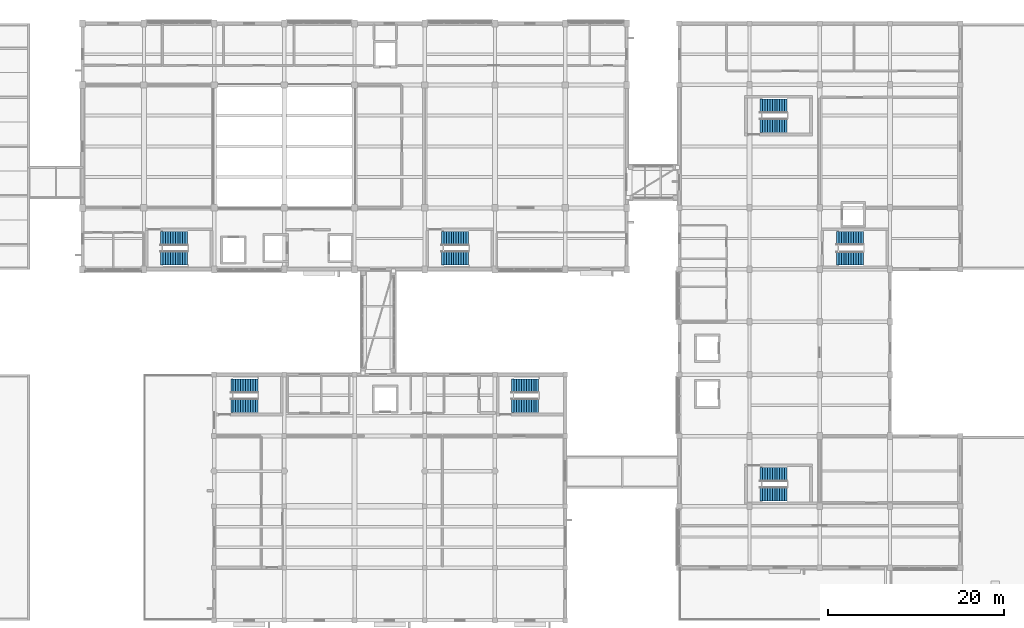
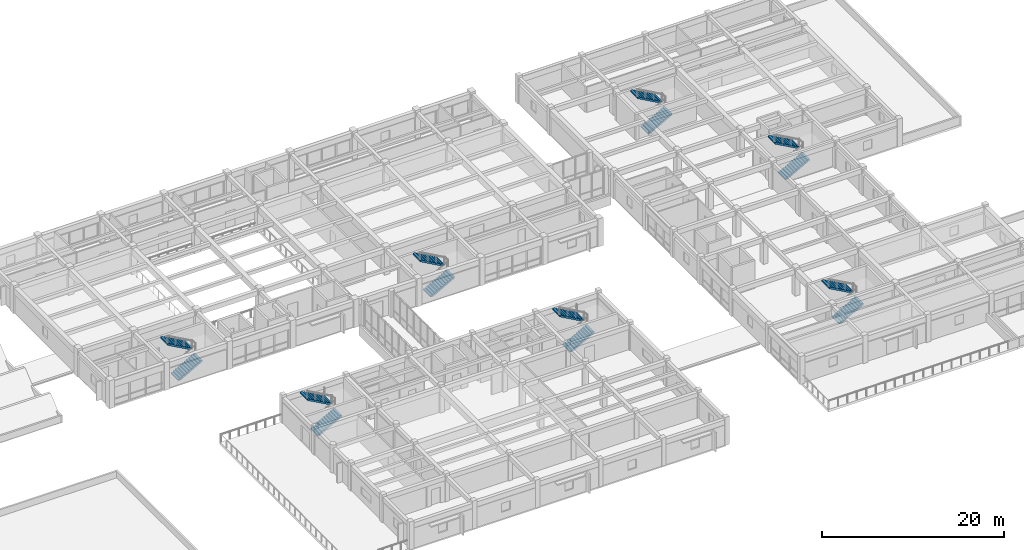
# One storey, part 35 of 42: 14 stair flights, 7 elements without a shape of their own.
"""IFC4 building model written with IfcOpenShell, lengths in metres."""

from ifc_helpers import new_model, si_unit, direction, frame, origin, place, context, subcontext, project, spatial, polyline, outline, extrude, material, type_object, element, aggregate, save


model = new_model("IFC4")

# Units and contexts
model_context = context("Model", 3, precision=1e-05, world=origin(), true_north=direction((0.0, 1.0)))
body_context = subcontext(model_context, "Body", "Model", "MODEL_VIEW")
ifc_project = project(units=[si_unit("LENGTHUNIT", "METRE"), si_unit("AREAUNIT", "SQUARE_METRE"), si_unit("VOLUMEUNIT", "CUBIC_METRE"), si_unit("PLANEANGLEUNIT", "RADIAN"), si_unit("MASSUNIT", "GRAM", prefix="KILO")], contexts=[model_context])

# Site, building, storey
site_placement = place(None, origin())
site = spatial("IfcSite", under=ifc_project, at=site_placement, CompositionType="ELEMENT")
building_placement = place(site_placement, origin())
building = spatial("IfcBuilding", under=site, at=building_placement, Name="Naurynzar Civic Courthouse", CompositionType="ELEMENT")
storey_placement = place(building_placement, frame((0.0, 0.0, 18.300048828125)))
storey = spatial("IfcBuildingStorey", under=building, at=storey_placement, Name="L05", CompositionType="ELEMENT", Elevation=18.300048828125)

# Stair, stair flights
ifc_material_1 = material(Name="Concrete C35/45", Category="concrete")
stair_type_1 = type_object("IfcStairType", Name="STAIR-CUS-1550", PredefinedType="TWO_STRAIGHT_RUN_STAIR", material=ifc_material_1)
stair_1_placement = place(storey_placement, origin())
stair_1 = element("IfcStair", 1, at=stair_1_placement, inside=storey, type_object=stair_type_1, Name="Enclosed escape stair ST-CUS L05", PredefinedType="TWO_STRAIGHT_RUN_STAIR")
ifc_material_2 = material(Name="Concrete C35/45", Category="concrete")
stair_flight_type_1 = type_object("IfcStairFlightType", Name="FLIGHT-RC-1550", PredefinedType="STRAIGHT", material=ifc_material_2)
stair_flight_1_placement = place(storey_placement, frame((147.89990234375, 45.2548828125, 0.0), z_axis=(0.0, 0.0, 1.0), x_axis=(1.0, 0.0, 0.0)))
stair_flight_1 = element("IfcStairFlight", 2, at=stair_flight_1_placement, type_object=stair_flight_type_1, Name="ST-CUS-L05 flight 1", NumberOfRisers=12, NumberOfTreads=11, PredefinedType="STRAIGHT", RiserHeight=0.15625, TreadLength=0.28, context=body_context, shape_type="SweptSolid", body=[
    extrude(outline(polyline([(0.0, 0.0), (0.0, 0.15625), (0.280029296875, 0.15625), (0.280029296875, 0.3125), (0.56005859375, 0.3125), (0.56005859375, 0.46875), (0.840087890625, 0.46875), (0.840087890625, 0.625), (1.1201171875, 0.625), (1.1201171875, 0.78125), (1.39990234375, 0.78125), (1.39990234375, 0.9375), (1.679931640625, 0.9375), (1.679931640625, 1.09375), (1.9599609375, 1.09375), (1.9599609375, 1.25), (2.239990234375, 1.25), (2.239990234375, 1.40625), (2.52001953125, 1.40625), (2.52001953125, 1.5625), (2.800048828125, 1.5625), (2.800048828125, 1.71875), (3.080078125, 1.71875), (3.080078125, 1.875), (3.080078125, 1.5126953125), (0.369140625, 0.0), (0.0, 0.0)])), frame((0.0, 0.77490234375, 0.0), z_axis=(0.0, -1.0, 0.0), x_axis=(1.0, 0.0, 0.0)), (0.0, 0.0, 1.0), 1.550048828125),
])
stair_flight_2_placement = place(storey_placement, frame((150.97998046875, 47.544921875, 1.875), z_axis=(0.0, 0.0, 1.0), x_axis=(-1.0, 0.0, 0.0)))
stair_flight_2 = element("IfcStairFlight", 3, at=stair_flight_2_placement, type_object=stair_flight_type_1, Name="ST-CUS-L05 flight 2", NumberOfRisers=12, NumberOfTreads=11, PredefinedType="STRAIGHT", RiserHeight=0.15625, TreadLength=0.28, context=body_context, shape_type="SweptSolid", body=[
    extrude(outline(polyline([(0.0, 0.0), (0.0, 0.15625), (0.280029296875, 0.15625), (0.280029296875, 0.3125), (0.56005859375, 0.3125), (0.56005859375, 0.46875), (0.840087890625, 0.46875), (0.840087890625, 0.625), (1.1201171875, 0.625), (1.1201171875, 0.78125), (1.39990234375, 0.78125), (1.39990234375, 0.9375), (1.679931640625, 0.9375), (1.679931640625, 1.09375), (1.9599609375, 1.09375), (1.9599609375, 1.25), (2.239990234375, 1.25), (2.239990234375, 1.40625), (2.52001953125, 1.40625), (2.52001953125, 1.5625), (2.800048828125, 1.5625), (2.800048828125, 1.71875), (3.080078125, 1.71875), (3.080078125, 1.875), (3.080078125, 1.5126953125), (0.369140625, 0.0), (0.0, 0.0)])), frame((0.0, 0.77490234375, 0.0), z_axis=(0.0, -1.0, 0.0), x_axis=(1.0, 0.0, 0.0)), (0.0, 0.0, 1.0), 1.550048828125),
])
aggregate(stair_1, [stair_flight_1, stair_flight_2])

ifc_material_3 = material(Name="Concrete C35/45", Category="concrete")
stair_type_2 = type_object("IfcStairType", Name="STAIR-CORE-1600", PredefinedType="TWO_STRAIGHT_RUN_STAIR", material=ifc_material_3)
stair_2_placement = place(storey_placement, origin())
stair_2 = element("IfcStair", 4, at=stair_2_placement, inside=storey, type_object=stair_type_2, Name="Enclosed escape stair ST-V2A L05", PredefinedType="TWO_STRAIGHT_RUN_STAIR")
ifc_material_4 = material(Name="Concrete C35/45", Category="concrete")
stair_flight_type_2 = type_object("IfcStairFlightType", Name="FLIGHT-RC-1600", PredefinedType="STRAIGHT", material=ifc_material_4)
stair_flight_3_placement = place(storey_placement, frame((70.89990234375, 45.280029296875, 0.0), z_axis=(0.0, 0.0, 1.0), x_axis=(1.0, 0.0, 0.0)))
stair_flight_3 = element("IfcStairFlight", 5, at=stair_flight_3_placement, type_object=stair_flight_type_2, Name="ST-V2A-L05 flight 1", NumberOfRisers=12, NumberOfTreads=11, PredefinedType="STRAIGHT", RiserHeight=0.15625, TreadLength=0.28, context=body_context, shape_type="SweptSolid", body=[
    extrude(outline(polyline([(0.0, 0.0), (0.0, 0.15625), (0.280029296875, 0.15625), (0.280029296875, 0.3125), (0.56005859375, 0.3125), (0.56005859375, 0.46875), (0.840087890625, 0.46875), (0.840087890625, 0.625), (1.1201171875, 0.625), (1.1201171875, 0.78125), (1.39990234375, 0.78125), (1.39990234375, 0.9375), (1.679931640625, 0.9375), (1.679931640625, 1.09375), (1.9599609375, 1.09375), (1.9599609375, 1.25), (2.239990234375, 1.25), (2.239990234375, 1.40625), (2.52001953125, 1.40625), (2.52001953125, 1.5625), (2.800048828125, 1.5625), (2.800048828125, 1.71875), (3.080078125, 1.71875), (3.080078125, 1.875), (3.080078125, 1.5126953125), (0.369140625, 0.0), (0.0, 0.0)])), frame((0.0, 0.800048828125, 0.0), z_axis=(0.0, -1.0, 0.0), x_axis=(1.0, 0.0, 0.0)), (0.0, 0.0, 1.0), 1.60009765625),
])
stair_flight_4_placement = place(storey_placement, frame((73.97998046875, 47.52001953125, 1.875), z_axis=(0.0, 0.0, 1.0), x_axis=(-1.0, 0.0, 0.0)))
stair_flight_4 = element("IfcStairFlight", 6, at=stair_flight_4_placement, type_object=stair_flight_type_2, Name="ST-V2A-L05 flight 2", NumberOfRisers=12, NumberOfTreads=11, PredefinedType="STRAIGHT", RiserHeight=0.15625, TreadLength=0.28, context=body_context, shape_type="SweptSolid", body=[
    extrude(outline(polyline([(0.0, 0.0), (0.0, 0.15625), (0.280029296875, 0.15625), (0.280029296875, 0.3125), (0.56005859375, 0.3125), (0.56005859375, 0.46875), (0.840087890625, 0.46875), (0.840087890625, 0.625), (1.1201171875, 0.625), (1.1201171875, 0.78125), (1.39990234375, 0.78125), (1.39990234375, 0.9375), (1.679931640625, 0.9375), (1.679931640625, 1.09375), (1.9599609375, 1.09375), (1.9599609375, 1.25), (2.239990234375, 1.25), (2.239990234375, 1.40625), (2.52001953125, 1.40625), (2.52001953125, 1.5625), (2.800048828125, 1.5625), (2.800048828125, 1.71875), (3.080078125, 1.71875), (3.080078125, 1.875), (3.080078125, 1.5126953125), (0.369140625, 0.0), (0.0, 0.0)])), frame((0.0, 0.800048828125, 0.0), z_axis=(0.0, -1.0, 0.0), x_axis=(1.0, 0.0, 0.0)), (0.0, 0.0, 1.0), 1.60009765625),
])
aggregate(stair_2, [stair_flight_3, stair_flight_4])

stair_3_placement = place(storey_placement, origin())
stair_3 = element("IfcStair", 7, at=stair_3_placement, inside=storey, type_object=stair_type_2, Name="Enclosed escape stair ST-V2B L05", PredefinedType="TWO_STRAIGHT_RUN_STAIR")
stair_flight_5_placement = place(storey_placement, frame((102.89990234375, 45.280029296875, 0.0), z_axis=(0.0, 0.0, 1.0), x_axis=(1.0, 0.0, 0.0)))
stair_flight_5 = element("IfcStairFlight", 8, at=stair_flight_5_placement, type_object=stair_flight_type_2, Name="ST-V2B-L05 flight 1", NumberOfRisers=12, NumberOfTreads=11, PredefinedType="STRAIGHT", RiserHeight=0.15625, TreadLength=0.28, context=body_context, shape_type="SweptSolid", body=[
    extrude(outline(polyline([(0.0, 0.0), (0.0, 0.15625), (0.280029296875, 0.15625), (0.280029296875, 0.3125), (0.56005859375, 0.3125), (0.56005859375, 0.46875), (0.840087890625, 0.46875), (0.840087890625, 0.625), (1.1201171875, 0.625), (1.1201171875, 0.78125), (1.39990234375, 0.78125), (1.39990234375, 0.9375), (1.679931640625, 0.9375), (1.679931640625, 1.09375), (1.9599609375, 1.09375), (1.9599609375, 1.25), (2.239990234375, 1.25), (2.239990234375, 1.40625), (2.52001953125, 1.40625), (2.52001953125, 1.5625), (2.800048828125, 1.5625), (2.800048828125, 1.71875), (3.080078125, 1.71875), (3.080078125, 1.875), (3.080078125, 1.5126953125), (0.369140625, 0.0), (0.0, 0.0)])), frame((0.0, 0.800048828125, 0.0), z_axis=(0.0, -1.0, 0.0), x_axis=(1.0, 0.0, 0.0)), (0.0, 0.0, 1.0), 1.60009765625),
])
stair_flight_6_placement = place(storey_placement, frame((105.97998046875, 47.52001953125, 1.875), z_axis=(0.0, 0.0, 1.0), x_axis=(-1.0, 0.0, 0.0)))
stair_flight_6 = element("IfcStairFlight", 9, at=stair_flight_6_placement, type_object=stair_flight_type_2, Name="ST-V2B-L05 flight 2", NumberOfRisers=12, NumberOfTreads=11, PredefinedType="STRAIGHT", RiserHeight=0.15625, TreadLength=0.28, context=body_context, shape_type="SweptSolid", body=[
    extrude(outline(polyline([(0.0, 0.0), (0.0, 0.15625), (0.280029296875, 0.15625), (0.280029296875, 0.3125), (0.56005859375, 0.3125), (0.56005859375, 0.46875), (0.840087890625, 0.46875), (0.840087890625, 0.625), (1.1201171875, 0.625), (1.1201171875, 0.78125), (1.39990234375, 0.78125), (1.39990234375, 0.9375), (1.679931640625, 0.9375), (1.679931640625, 1.09375), (1.9599609375, 1.09375), (1.9599609375, 1.25), (2.239990234375, 1.25), (2.239990234375, 1.40625), (2.52001953125, 1.40625), (2.52001953125, 1.5625), (2.800048828125, 1.5625), (2.800048828125, 1.71875), (3.080078125, 1.71875), (3.080078125, 1.875), (3.080078125, 1.5126953125), (0.369140625, 0.0), (0.0, 0.0)])), frame((0.0, 0.800048828125, 0.0), z_axis=(0.0, -1.0, 0.0), x_axis=(1.0, 0.0, 0.0)), (0.0, 0.0, 1.0), 1.60009765625),
])
aggregate(stair_3, [stair_flight_5, stair_flight_6])

stair_4_placement = place(storey_placement, origin())
stair_4 = element("IfcStair", 10, at=stair_4_placement, inside=storey, type_object=stair_type_2, Name="Enclosed escape stair ST-V3A L05", PredefinedType="TWO_STRAIGHT_RUN_STAIR")
stair_flight_7_placement = place(storey_placement, frame((78.89990234375, 28.47998046875, 0.0), z_axis=(0.0, 0.0, 1.0), x_axis=(1.0, 0.0, 0.0)))
stair_flight_7 = element("IfcStairFlight", 11, at=stair_flight_7_placement, type_object=stair_flight_type_2, Name="ST-V3A-L05 flight 1", NumberOfRisers=12, NumberOfTreads=11, PredefinedType="STRAIGHT", RiserHeight=0.15625, TreadLength=0.28, context=body_context, shape_type="SweptSolid", body=[
    extrude(outline(polyline([(0.0, 0.0), (0.0, 0.15625), (0.280029296875, 0.15625), (0.280029296875, 0.3125), (0.56005859375, 0.3125), (0.56005859375, 0.46875), (0.840087890625, 0.46875), (0.840087890625, 0.625), (1.1201171875, 0.625), (1.1201171875, 0.78125), (1.39990234375, 0.78125), (1.39990234375, 0.9375), (1.679931640625, 0.9375), (1.679931640625, 1.09375), (1.9599609375, 1.09375), (1.9599609375, 1.25), (2.239990234375, 1.25), (2.239990234375, 1.40625), (2.52001953125, 1.40625), (2.52001953125, 1.5625), (2.800048828125, 1.5625), (2.800048828125, 1.71875), (3.080078125, 1.71875), (3.080078125, 1.875), (3.080078125, 1.5126953125), (0.369140625, 0.0), (0.0, 0.0)])), frame((0.0, 0.800048828125, 0.0), z_axis=(0.0, -1.0, 0.0), x_axis=(1.0, 0.0, 0.0)), (0.0, 0.0, 1.0), 1.60009765625),
])
stair_flight_8_placement = place(storey_placement, frame((81.97998046875, 30.719970703125, 1.875), z_axis=(0.0, 0.0, 1.0), x_axis=(-1.0, 0.0, 0.0)))
stair_flight_8 = element("IfcStairFlight", 12, at=stair_flight_8_placement, type_object=stair_flight_type_2, Name="ST-V3A-L05 flight 2", NumberOfRisers=12, NumberOfTreads=11, PredefinedType="STRAIGHT", RiserHeight=0.15625, TreadLength=0.28, context=body_context, shape_type="SweptSolid", body=[
    extrude(outline(polyline([(0.0, 0.0), (0.0, 0.15625), (0.280029296875, 0.15625), (0.280029296875, 0.3125), (0.56005859375, 0.3125), (0.56005859375, 0.46875), (0.840087890625, 0.46875), (0.840087890625, 0.625), (1.1201171875, 0.625), (1.1201171875, 0.78125), (1.39990234375, 0.78125), (1.39990234375, 0.9375), (1.679931640625, 0.9375), (1.679931640625, 1.09375), (1.9599609375, 1.09375), (1.9599609375, 1.25), (2.239990234375, 1.25), (2.239990234375, 1.40625), (2.52001953125, 1.40625), (2.52001953125, 1.5625), (2.800048828125, 1.5625), (2.800048828125, 1.71875), (3.080078125, 1.71875), (3.080078125, 1.875), (3.080078125, 1.5126953125), (0.369140625, 0.0), (0.0, 0.0)])), frame((0.0, 0.800048828125, 0.0), z_axis=(0.0, -1.0, 0.0), x_axis=(1.0, 0.0, 0.0)), (0.0, 0.0, 1.0), 1.60009765625),
])
aggregate(stair_4, [stair_flight_7, stair_flight_8])

stair_5_placement = place(storey_placement, origin())
stair_5 = element("IfcStair", 13, at=stair_5_placement, inside=storey, type_object=stair_type_2, Name="Enclosed escape stair ST-V3B L05", PredefinedType="TWO_STRAIGHT_RUN_STAIR")
stair_flight_9_placement = place(storey_placement, frame((110.89990234375, 28.47998046875, 0.0), z_axis=(0.0, 0.0, 1.0), x_axis=(1.0, 0.0, 0.0)))
stair_flight_9 = element("IfcStairFlight", 14, at=stair_flight_9_placement, type_object=stair_flight_type_2, Name="ST-V3B-L05 flight 1", NumberOfRisers=12, NumberOfTreads=11, PredefinedType="STRAIGHT", RiserHeight=0.15625, TreadLength=0.28, context=body_context, shape_type="SweptSolid", body=[
    extrude(outline(polyline([(0.0, 0.0), (0.0, 0.15625), (0.280029296875, 0.15625), (0.280029296875, 0.3125), (0.56005859375, 0.3125), (0.56005859375, 0.46875), (0.840087890625, 0.46875), (0.840087890625, 0.625), (1.1201171875, 0.625), (1.1201171875, 0.78125), (1.39990234375, 0.78125), (1.39990234375, 0.9375), (1.679931640625, 0.9375), (1.679931640625, 1.09375), (1.9599609375, 1.09375), (1.9599609375, 1.25), (2.239990234375, 1.25), (2.239990234375, 1.40625), (2.52001953125, 1.40625), (2.52001953125, 1.5625), (2.800048828125, 1.5625), (2.800048828125, 1.71875), (3.080078125, 1.71875), (3.080078125, 1.875), (3.080078125, 1.5126953125), (0.369140625, 0.0), (0.0, 0.0)])), frame((0.0, 0.800048828125, 0.0), z_axis=(0.0, -1.0, 0.0), x_axis=(1.0, 0.0, 0.0)), (0.0, 0.0, 1.0), 1.60009765625),
])
stair_flight_10_placement = place(storey_placement, frame((113.97998046875, 30.719970703125, 1.875), z_axis=(0.0, 0.0, 1.0), x_axis=(-1.0, 0.0, 0.0)))
stair_flight_10 = element("IfcStairFlight", 15, at=stair_flight_10_placement, type_object=stair_flight_type_2, Name="ST-V3B-L05 flight 2", NumberOfRisers=12, NumberOfTreads=11, PredefinedType="STRAIGHT", RiserHeight=0.15625, TreadLength=0.28, context=body_context, shape_type="SweptSolid", body=[
    extrude(outline(polyline([(0.0, 0.0), (0.0, 0.15625), (0.280029296875, 0.15625), (0.280029296875, 0.3125), (0.56005859375, 0.3125), (0.56005859375, 0.46875), (0.840087890625, 0.46875), (0.840087890625, 0.625), (1.1201171875, 0.625), (1.1201171875, 0.78125), (1.39990234375, 0.78125), (1.39990234375, 0.9375), (1.679931640625, 0.9375), (1.679931640625, 1.09375), (1.9599609375, 1.09375), (1.9599609375, 1.25), (2.239990234375, 1.25), (2.239990234375, 1.40625), (2.52001953125, 1.40625), (2.52001953125, 1.5625), (2.800048828125, 1.5625), (2.800048828125, 1.71875), (3.080078125, 1.71875), (3.080078125, 1.875), (3.080078125, 1.5126953125), (0.369140625, 0.0), (0.0, 0.0)])), frame((0.0, 0.800048828125, 0.0), z_axis=(0.0, -1.0, 0.0), x_axis=(1.0, 0.0, 0.0)), (0.0, 0.0, 1.0), 1.60009765625),
])
aggregate(stair_5, [stair_flight_9, stair_flight_10])

stair_6_placement = place(storey_placement, origin())
stair_6 = element("IfcStair", 16, at=stair_6_placement, inside=storey, type_object=stair_type_2, Name="Enclosed escape stair ST-V5A L05", PredefinedType="TWO_STRAIGHT_RUN_STAIR")
stair_flight_11_placement = place(storey_placement, frame((139.199951171875, 18.3798828125, 0.0), z_axis=(0.0, 0.0, 1.0), x_axis=(1.0, 0.0, 0.0)))
stair_flight_11 = element("IfcStairFlight", 17, at=stair_flight_11_placement, type_object=stair_flight_type_2, Name="ST-V5A-L05 flight 1", NumberOfRisers=12, NumberOfTreads=11, PredefinedType="STRAIGHT", RiserHeight=0.15625, TreadLength=0.28, context=body_context, shape_type="SweptSolid", body=[
    extrude(outline(polyline([(0.0, 0.0), (0.0, 0.15625), (0.280029296875, 0.15625), (0.280029296875, 0.3125), (0.56005859375, 0.3125), (0.56005859375, 0.46875), (0.840087890625, 0.46875), (0.840087890625, 0.625), (1.1201171875, 0.625), (1.1201171875, 0.78125), (1.39990234375, 0.78125), (1.39990234375, 0.9375), (1.679931640625, 0.9375), (1.679931640625, 1.09375), (1.9599609375, 1.09375), (1.9599609375, 1.25), (2.239990234375, 1.25), (2.239990234375, 1.40625), (2.52001953125, 1.40625), (2.52001953125, 1.5625), (2.800048828125, 1.5625), (2.800048828125, 1.71875), (3.080078125, 1.71875), (3.080078125, 1.875), (3.080078125, 1.5126953125), (0.369140625, 0.0), (0.0, 0.0)])), frame((0.0, 0.800048828125, 0.0), z_axis=(0.0, -1.0, 0.0), x_axis=(1.0, 0.0, 0.0)), (0.0, 0.0, 1.0), 1.60009765625),
])
stair_flight_12_placement = place(storey_placement, frame((142.280029296875, 20.6201171875, 1.875), z_axis=(0.0, 0.0, 1.0), x_axis=(-1.0, 0.0, 0.0)))
stair_flight_12 = element("IfcStairFlight", 18, at=stair_flight_12_placement, type_object=stair_flight_type_2, Name="ST-V5A-L05 flight 2", NumberOfRisers=12, NumberOfTreads=11, PredefinedType="STRAIGHT", RiserHeight=0.15625, TreadLength=0.28, context=body_context, shape_type="SweptSolid", body=[
    extrude(outline(polyline([(0.0, 0.0), (0.0, 0.15625), (0.280029296875, 0.15625), (0.280029296875, 0.3125), (0.56005859375, 0.3125), (0.56005859375, 0.46875), (0.840087890625, 0.46875), (0.840087890625, 0.625), (1.1201171875, 0.625), (1.1201171875, 0.78125), (1.39990234375, 0.78125), (1.39990234375, 0.9375), (1.679931640625, 0.9375), (1.679931640625, 1.09375), (1.9599609375, 1.09375), (1.9599609375, 1.25), (2.239990234375, 1.25), (2.239990234375, 1.40625), (2.52001953125, 1.40625), (2.52001953125, 1.5625), (2.800048828125, 1.5625), (2.800048828125, 1.71875), (3.080078125, 1.71875), (3.080078125, 1.875), (3.080078125, 1.5126953125), (0.369140625, 0.0), (0.0, 0.0)])), frame((0.0, 0.800048828125, 0.0), z_axis=(0.0, -1.0, 0.0), x_axis=(1.0, 0.0, 0.0)), (0.0, 0.0, 1.0), 1.60009765625),
])
aggregate(stair_6, [stair_flight_11, stair_flight_12])

stair_7_placement = place(storey_placement, origin())
stair_7 = element("IfcStair", 19, at=stair_7_placement, inside=storey, type_object=stair_type_2, Name="Enclosed escape stair ST-V5B L05", PredefinedType="TWO_STRAIGHT_RUN_STAIR")
stair_flight_13_placement = place(storey_placement, frame((139.199951171875, 60.3798828125, 0.0), z_axis=(0.0, 0.0, 1.0), x_axis=(1.0, 0.0, 0.0)))
stair_flight_13 = element("IfcStairFlight", 20, at=stair_flight_13_placement, type_object=stair_flight_type_2, Name="ST-V5B-L05 flight 1", NumberOfRisers=12, NumberOfTreads=11, PredefinedType="STRAIGHT", RiserHeight=0.15625, TreadLength=0.28, context=body_context, shape_type="SweptSolid", body=[
    extrude(outline(polyline([(0.0, 0.0), (0.0, 0.15625), (0.280029296875, 0.15625), (0.280029296875, 0.3125), (0.56005859375, 0.3125), (0.56005859375, 0.46875), (0.840087890625, 0.46875), (0.840087890625, 0.625), (1.1201171875, 0.625), (1.1201171875, 0.78125), (1.39990234375, 0.78125), (1.39990234375, 0.9375), (1.679931640625, 0.9375), (1.679931640625, 1.09375), (1.9599609375, 1.09375), (1.9599609375, 1.25), (2.239990234375, 1.25), (2.239990234375, 1.40625), (2.52001953125, 1.40625), (2.52001953125, 1.5625), (2.800048828125, 1.5625), (2.800048828125, 1.71875), (3.080078125, 1.71875), (3.080078125, 1.875), (3.080078125, 1.5126953125), (0.369140625, 0.0), (0.0, 0.0)])), frame((0.0, 0.800048828125, 0.0), z_axis=(0.0, -1.0, 0.0), x_axis=(1.0, 0.0, 0.0)), (0.0, 0.0, 1.0), 1.60009765625),
])
stair_flight_14_placement = place(storey_placement, frame((142.280029296875, 62.6201171875, 1.875), z_axis=(0.0, 0.0, 1.0), x_axis=(-1.0, 0.0, 0.0)))
stair_flight_14 = element("IfcStairFlight", 21, at=stair_flight_14_placement, type_object=stair_flight_type_2, Name="ST-V5B-L05 flight 2", NumberOfRisers=12, NumberOfTreads=11, PredefinedType="STRAIGHT", RiserHeight=0.15625, TreadLength=0.28, context=body_context, shape_type="SweptSolid", body=[
    extrude(outline(polyline([(0.0, 0.0), (0.0, 0.15625), (0.280029296875, 0.15625), (0.280029296875, 0.3125), (0.56005859375, 0.3125), (0.56005859375, 0.46875), (0.840087890625, 0.46875), (0.840087890625, 0.625), (1.1201171875, 0.625), (1.1201171875, 0.78125), (1.39990234375, 0.78125), (1.39990234375, 0.9375), (1.679931640625, 0.9375), (1.679931640625, 1.09375), (1.9599609375, 1.09375), (1.9599609375, 1.25), (2.239990234375, 1.25), (2.239990234375, 1.40625), (2.52001953125, 1.40625), (2.52001953125, 1.5625), (2.800048828125, 1.5625), (2.800048828125, 1.71875), (3.080078125, 1.71875), (3.080078125, 1.875), (3.080078125, 1.5126953125), (0.369140625, 0.0), (0.0, 0.0)])), frame((0.0, 0.800048828125, 0.0), z_axis=(0.0, -1.0, 0.0), x_axis=(1.0, 0.0, 0.0)), (0.0, 0.0, 1.0), 1.60009765625),
])
aggregate(stair_7, [stair_flight_13, stair_flight_14])

save(model, "model.ifc")
